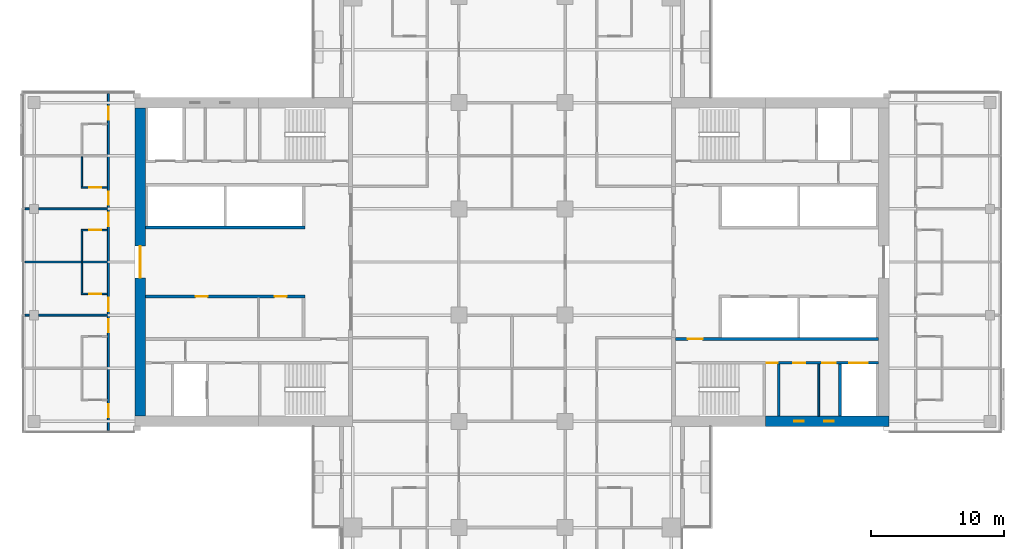
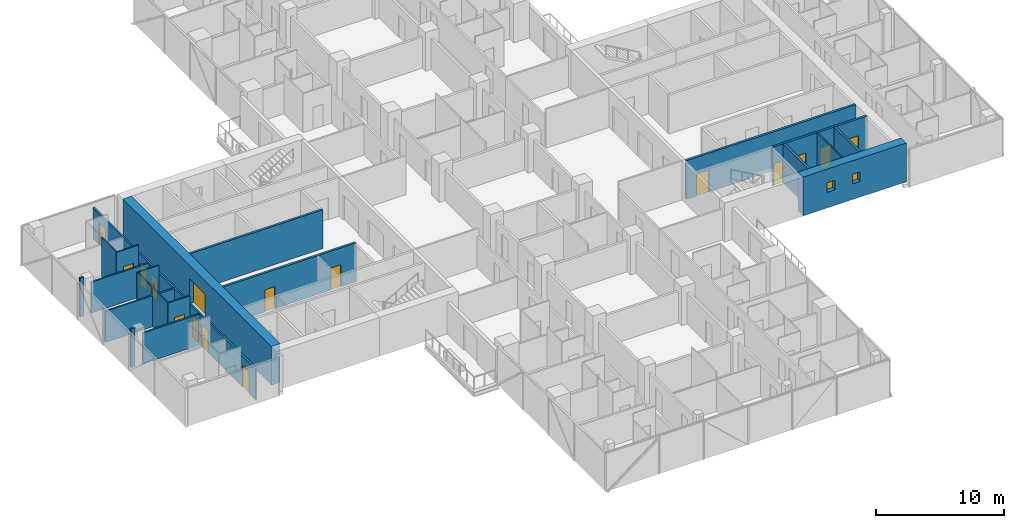
# One storey, part 18 of 29: 21 walls, 17 doors, 2 windows, 19 openings.
"""IFC4 building model written with IfcOpenShell, lengths in metres."""

from ifc_helpers import new_model, si_unit, direction, frame, frame_2d, origin, place, context, subcontext, project, spatial, rectangle, extrude, material, layer, layer_set, constituent, constituent_set, type_object, element, fill, save


model = new_model("IFC4")

# Units and contexts
model_context = context("Model", 3, precision=1e-05, world=origin(), true_north=direction((0.0, 1.0)))
body_context = subcontext(model_context, "Body", "Model", "MODEL_VIEW")
ifc_project = project(units=[si_unit("LENGTHUNIT", "METRE"), si_unit("AREAUNIT", "SQUARE_METRE"), si_unit("VOLUMEUNIT", "CUBIC_METRE"), si_unit("PLANEANGLEUNIT", "RADIAN"), si_unit("MASSUNIT", "GRAM", prefix="KILO")], contexts=[model_context])

# Site, building, storey
site_placement = place(None, origin())
site = spatial("IfcSite", under=ifc_project, at=site_placement, CompositionType="ELEMENT")
building_placement = place(site_placement, origin())
building = spatial("IfcBuilding", under=site, at=building_placement, Name="Crosswind Convention Tower", CompositionType="ELEMENT")
storey_placement = place(building_placement, frame((0.0, 0.0, 53.5)))
storey = spatial("IfcBuildingStorey", under=building, at=storey_placement, Name="L07", CompositionType="ELEMENT", Elevation=53.5)

# Wall
ifc_material_1 = material(Name="Concrete blockwork", Category="masonry")
ifc_layer_1 = layer(ifc_material_1, 0.199951171875)
ifc_layer_set_1 = layer_set([ifc_layer_1], Name="Blockwork partition wall 200")
wall_type_1 = type_object("IfcWallType", Name="Blockwork partition wall 200", PredefinedType="PARTITIONING", material=ifc_layer_set_1)
wall_1_placement = place(storey_placement, frame((145.10009765625, 88.39990234375, 0.0), z_axis=(0.0, 0.0, 1.0), x_axis=(0.0, 1.0, 0.0)))
element("IfcWall", 1, at=wall_1_placement, inside=storey, type_object=wall_type_1, Name="Wall MRSE E L07", PredefinedType="PARTITIONING", context=body_context, shape_type="SweptSolid", body=[
    extrude(rectangle(XDim=3.900146484375, YDim=0.199951171875, at=frame_2d((1.9501953125, 0.0))), origin(), (0.0, 0.0, 1.0), 3.699951171875),
])

# Wall, opening, door
ifc_material_2 = material(Name="Concrete C60/75", Category="concrete")
ifc_layer_2 = layer(ifc_material_2, 0.800048828125)
ifc_layer_set_2 = layer_set([ifc_layer_2], Name="Concrete C60/75")
wall_type_2 = type_object("IfcWallType", Name="Concrete core wall 800", PredefinedType="SHEAR", material=ifc_layer_set_2)
wall_2_placement = place(storey_placement, frame((97.0, 111.60009765625, 0.0), z_axis=(0.0, 0.0, 1.0), x_axis=(0.0, -1.0, 0.0)))
wall_2 = element("IfcWall", 2, at=wall_2_placement, inside=storey, type_object=wall_type_2, Name="Wall O W L07", PredefinedType="SHEAR", context=body_context, shape_type="SweptSolid", body=[
    extrude(rectangle(XDim=23.2001953125, YDim=0.800048828125, at=frame_2d((11.60009765625, 0.0))), origin(), (0.0, 0.0, 1.0), 3.699951171875),
])
opening_1_placement = place(wall_2_placement, frame((10.39990234375, 0.0, 0.0)))
opening_1 = element("IfcOpeningElement", 3, at=opening_1_placement, cuts=wall_2, Name="Opening D100", PredefinedType="OPENING", context=body_context, shape_type="SweptSolid", body=[
    extrude(rectangle(XDim=2.39990234375, YDim=2.39990234375, at=frame_2d((1.199951171875, 1.199951171875))), frame((0.0, 0.409912109375, 0.0), z_axis=(0.0, -1.0, 0.0), x_axis=(1.0, 0.0, 0.0)), (0.0, 0.0, 1.0), 0.820068359375),
])
ifc_material_3 = material(Name="Steel fire door with glazed vision panels", Category="steel")
door_type_1 = type_object("IfcDoorType", Name="Fire-rated double door 2400x2400", OperationType="DOUBLE_DOOR_SINGLE_SWING", PredefinedType="DOOR", material=ifc_material_3)
door_1_placement = place(opening_1_placement, origin())
door_1 = element("IfcDoor", 4, at=door_1_placement, inside=storey, type_object=door_type_1, Name="Lobby outer door L07", ObjectType="D100", OperationType="DOUBLE_DOOR_SINGLE_SWING", OverallHeight=2.39990234375, OverallWidth=2.39990234375, PredefinedType="DOOR", context=body_context, shape_type="SweptSolid", body=[
    extrude(rectangle(XDim=2.39990234375, YDim=2.39990234375, at=frame_2d((1.199951171875, 1.199951171875))), frame((0.0, 0.02490234375, 0.0), z_axis=(0.0, -1.0, 0.0), x_axis=(1.0, 0.0, 0.0)), (0.0, 0.0, 1.0), 0.050048828125),
])
fill(opening_1, door_1)

ifc_material_4 = material(Name="Concrete C50/60", Category="concrete")
ifc_layer_3 = layer(ifc_material_4, 0.199951171875)
ifc_layer_set_3 = layer_set([ifc_layer_3], Name="Concrete C50/60")
wall_type_3 = type_object("IfcWallType", Name="Concrete shaft and stair wall 200", PredefinedType="SHEAR", material=ifc_layer_set_3)
wall_3_placement = place(storey_placement, frame((137.300048828125, 94.199951171875, 0.0), z_axis=(0.0, 0.0, 1.0), x_axis=(1.0, 0.0, 0.0)))
wall_3 = element("IfcWall", 5, at=wall_3_placement, inside=storey, type_object=wall_type_3, Name="Wall HM E L07", PredefinedType="SHEAR", context=body_context, shape_type="SweptSolid", body=[
    extrude(rectangle(XDim=15.300048828125, YDim=0.199951171875, at=frame_2d((7.64990234375, 0.0))), origin(), (0.0, 0.0, 1.0), 3.699951171875),
])
opening_2_placement = place(wall_3_placement, frame((0.949951171875, 0.0, 0.0)))
opening_2 = element("IfcOpeningElement", 6, at=opening_2_placement, cuts=wall_3, Name="Opening D104", PredefinedType="OPENING", context=body_context, shape_type="SweptSolid", body=[
    extrude(rectangle(XDim=1.10009765625, YDim=2.10009765625, at=frame_2d((0.550048828125, 1.050048828125))), frame((0.0, 0.10986328125, 0.0), z_axis=(0.0, -1.0, 0.0), x_axis=(1.0, 0.0, 0.0)), (0.0, 0.0, 1.0), 0.219970703125),
])
ifc_material_5 = material(Name="Steel fire door", Category="steel")
door_type_2 = type_object("IfcDoorType", Name="Fire-rated single door 1100x2100", OperationType="NOTDEFINED", PredefinedType="DOOR", material=ifc_material_5)
door_2_placement = place(opening_2_placement, origin())
door_2 = element("IfcDoor", 7, at=door_2_placement, inside=storey, type_object=door_type_2, Name="Corridor door L07", ObjectType="D104", OperationType="SINGLE_SWING_LEFT", OverallHeight=2.10009765625, OverallWidth=1.10009765625, PredefinedType="DOOR", context=body_context, shape_type="SweptSolid", body=[
    extrude(rectangle(XDim=1.10009765625, YDim=2.10009765625, at=frame_2d((0.550048828125, 1.050048828125))), frame((0.0, 0.02490234375, 0.0), z_axis=(0.0, -1.0, 0.0), x_axis=(1.0, 0.0, 0.0)), (0.0, 0.0, 1.0), 0.050048828125),
])
fill(opening_2, door_2)

# Wall
wall_4_placement = place(storey_placement, frame((149.699951171875, 88.39990234375, 0.0), z_axis=(0.0, 0.0, 1.0), x_axis=(0.0, 1.0, 0.0)))
element("IfcWall", 8, at=wall_4_placement, inside=storey, type_object=wall_type_3, Name="Wall MFSW E L07", PredefinedType="SHEAR", context=body_context, shape_type="SweptSolid", body=[
    extrude(rectangle(XDim=3.900146484375, YDim=0.199951171875, at=frame_2d((1.9501953125, 0.0))), origin(), (0.0, 0.0, 1.0), 3.699951171875),
])

# Wall, openings, doors
wall_5_placement = place(storey_placement, frame((144.10009765625, 92.39990234375, 0.0), z_axis=(0.0, 0.0, 1.0), x_axis=(1.0, 0.0, 0.0)))
wall_5 = element("IfcWall", 9, at=wall_5_placement, inside=storey, type_object=wall_type_3, Name="Wall MCX E L07", PredefinedType="SHEAR", context=body_context, shape_type="SweptSolid", body=[
    extrude(rectangle(XDim=8.5, YDim=0.199951171875, at=frame_2d((4.25, 0.0))), origin(), (0.0, 0.0, 1.0), 3.699951171875),
])
opening_3_placement = place(wall_5_placement, frame((0.10009765625, 0.0, 0.0)))
opening_3 = element("IfcOpeningElement", 10, at=opening_3_placement, cuts=wall_5, Name="Opening D105", PredefinedType="OPENING", context=body_context, shape_type="SweptSolid", body=[
    extrude(rectangle(XDim=0.800048828125, YDim=2.10009765625, at=frame_2d((0.39990234375, 1.050048828125))), frame((0.0, 0.10986328125, 0.0), z_axis=(0.0, -1.0, 0.0), x_axis=(1.0, 0.0, 0.0)), (0.0, 0.0, 1.0), 0.219970703125),
])
opening_4_placement = place(wall_5_placement, frame((2.07080078125, 0.0, 0.0)))
opening_4 = element("IfcOpeningElement", 11, at=opening_4_placement, cuts=wall_5, Name="Opening D106", PredefinedType="OPENING", context=body_context, shape_type="SweptSolid", body=[
    extrude(rectangle(XDim=0.89990234375, YDim=2.10009765625, at=frame_2d((0.449951171875, 1.050048828125))), frame((0.0, 0.10986328125, 0.0), z_axis=(0.0, -1.0, 0.0), x_axis=(1.0, 0.0, 0.0)), (0.0, 0.0, 1.0), 0.219970703125),
])
opening_5_placement = place(wall_5_placement, frame((4.283203125, 0.0, 0.0)))
opening_5 = element("IfcOpeningElement", 12, at=opening_5_placement, cuts=wall_5, Name="Opening D103", PredefinedType="OPENING", context=body_context, shape_type="SweptSolid", body=[
    extrude(rectangle(XDim=1.0, YDim=2.10009765625, at=frame_2d((0.5, 1.050048828125))), frame((0.0, 0.10986328125, 0.0), z_axis=(0.0, -1.0, 0.0), x_axis=(1.0, 0.0, 0.0)), (0.0, 0.0, 1.0), 0.219970703125),
])
opening_6_placement = place(wall_5_placement, frame((6.300048828125, 0.0, 0.0)))
opening_6 = element("IfcOpeningElement", 13, at=opening_6_placement, cuts=wall_5, Name="Opening LD2", PredefinedType="OPENING", context=body_context, shape_type="SweptSolid", body=[
    extrude(rectangle(XDim=1.39990234375, YDim=2.10009765625, at=frame_2d((0.699951171875, 1.050048828125))), frame((0.0, 0.10986328125, 0.0), z_axis=(0.0, -1.0, 0.0), x_axis=(1.0, 0.0, 0.0)), (0.0, 0.0, 1.0), 0.219970703125),
])
door_type_3 = type_object("IfcDoorType", Name="Fire-rated single door 1000x2100", OperationType="NOTDEFINED", PredefinedType="DOOR", material=ifc_material_5)
door_3_placement = place(opening_5_placement, frame((1.0, 0.0, 0.0), z_axis=(0.0, 0.0, 1.0), x_axis=(-1.0, 0.0, 0.0)))
door_3 = element("IfcDoor", 14, at=door_3_placement, inside=storey, type_object=door_type_3, Name="Door to accessible wc L07", ObjectType="D103", OperationType="SINGLE_SWING_LEFT", OverallHeight=2.10009765625, OverallWidth=1.0, PredefinedType="DOOR", context=body_context, shape_type="SweptSolid", body=[
    extrude(rectangle(XDim=1.0, YDim=2.10009765625, at=frame_2d((0.5, 1.050048828125))), frame((0.0, 0.02490234375, 0.0), z_axis=(0.0, -1.0, 0.0), x_axis=(1.0, 0.0, 0.0)), (0.0, 0.0, 1.0), 0.050048828125),
])
fill(opening_5, door_3)
ifc_material_6 = material(Name="Stainless steel", Category="steel")
door_type_4 = type_object("IfcDoorType", Name="Lift landing door 1400x2100", OperationType="DOUBLE_DOOR_SLIDING", PredefinedType="DOOR", material=ifc_material_6)
door_4_placement = place(opening_6_placement, origin())
door_4 = element("IfcDoor", 15, at=door_4_placement, inside=storey, type_object=door_type_4, Name="Landing door SV1 L07", ObjectType="LD2", OperationType="DOUBLE_DOOR_SLIDING", OverallHeight=2.10009765625, OverallWidth=1.39990234375, PredefinedType="DOOR", context=body_context, shape_type="SweptSolid", body=[
    extrude(rectangle(XDim=1.39990234375, YDim=2.10009765625, at=frame_2d((0.699951171875, 1.050048828125))), frame((0.0, 0.02490234375, 0.0), z_axis=(0.0, -1.0, 0.0), x_axis=(1.0, 0.0, 0.0)), (0.0, 0.0, 1.0), 0.050048828125),
])
fill(opening_6, door_4)
door_type_5 = type_object("IfcDoorType", Name="Riser access door 800x2100", OperationType="NOTDEFINED", PredefinedType="DOOR", material=ifc_material_5)
door_5_placement = place(opening_3_placement, frame((0.800048828125, 0.0, 0.0), z_axis=(0.0, 0.0, 1.0), x_axis=(-1.0, 0.0, 0.0)))
door_5 = element("IfcDoor", 16, at=door_5_placement, inside=storey, type_object=door_type_5, Name="Riser door L07", ObjectType="D105", OperationType="SINGLE_SWING_LEFT", OverallHeight=2.10009765625, OverallWidth=0.800048828125, PredefinedType="DOOR", context=body_context, shape_type="SweptSolid", body=[
    extrude(rectangle(XDim=0.800048828125, YDim=2.10009765625, at=frame_2d((0.39990234375, 1.050048828125))), frame((0.0, 0.02490234375, 0.0), z_axis=(0.0, -1.0, 0.0), x_axis=(1.0, 0.0, 0.0)), (0.0, 0.0, 1.0), 0.050048828125),
])
fill(opening_3, door_5)
ifc_material_7 = material(Name="Timber door", Category="wood")
door_type_6 = type_object("IfcDoorType", Name="Single leaf door 900x2100", OperationType="NOTDEFINED", PredefinedType="DOOR", material=ifc_material_7)
door_6_placement = place(opening_4_placement, frame((0.89990234375, 0.0, 0.0), z_axis=(0.0, 0.0, 1.0), x_axis=(-1.0, 0.0, 0.0)))
door_6 = element("IfcDoor", 17, at=door_6_placement, inside=storey, type_object=door_type_6, Name="Door to wc L07", ObjectType="D106", OperationType="SINGLE_SWING_LEFT", OverallHeight=2.10009765625, OverallWidth=0.89990234375, PredefinedType="DOOR", context=body_context, shape_type="SweptSolid", body=[
    extrude(rectangle(XDim=0.89990234375, YDim=2.10009765625, at=frame_2d((0.449951171875, 1.050048828125))), frame((0.0, 0.02490234375, 0.0), z_axis=(0.0, -1.0, 0.0), x_axis=(1.0, 0.0, 0.0)), (0.0, 0.0, 1.0), 0.050048828125),
])
fill(opening_4, door_6)

wall_6_placement = place(storey_placement, frame((109.39990234375, 97.39990234375, 0.0), z_axis=(0.0, 0.0, 1.0), x_axis=(-1.0, 0.0, 0.0)))
wall_6 = element("IfcWall", 18, at=wall_6_placement, inside=storey, type_object=wall_type_3, Name="Wall RPFRONT W L07", PredefinedType="SHEAR", context=body_context, shape_type="SweptSolid", body=[
    extrude(rectangle(XDim=12.0, YDim=0.199951171875, at=frame_2d((6.0, 0.0))), origin(), (0.0, 0.0, 1.0), 3.699951171875),
])
opening_7_placement = place(wall_6_placement, frame((1.370849609375, 0.0, 0.0)))
opening_7 = element("IfcOpeningElement", 19, at=opening_7_placement, cuts=wall_6, Name="Opening D106", PredefinedType="OPENING", context=body_context, shape_type="SweptSolid", body=[
    extrude(rectangle(XDim=0.89990234375, YDim=2.10009765625, at=frame_2d((0.449951171875, 1.050048828125))), frame((0.0, 0.10986328125, 0.0), z_axis=(0.0, -1.0, 0.0), x_axis=(1.0, 0.0, 0.0)), (0.0, 0.0, 1.0), 0.219970703125),
])
opening_8_placement = place(wall_6_placement, frame((7.333251953125, 0.0, 0.0)))
opening_8 = element("IfcOpeningElement", 20, at=opening_8_placement, cuts=wall_6, Name="Opening D106", PredefinedType="OPENING", context=body_context, shape_type="SweptSolid", body=[
    extrude(rectangle(XDim=0.89990234375, YDim=2.10009765625, at=frame_2d((0.449951171875, 1.050048828125))), frame((0.0, 0.10986328125, 0.0), z_axis=(0.0, -1.0, 0.0), x_axis=(1.0, 0.0, 0.0)), (0.0, 0.0, 1.0), 0.219970703125),
])
door_7_placement = place(opening_7_placement, origin())
door_7 = element("IfcDoor", 21, at=door_7_placement, inside=storey, type_object=door_type_6, Name="Door to housekeeping store L07", ObjectType="D106", OperationType="SINGLE_SWING_RIGHT", OverallHeight=2.10009765625, OverallWidth=0.89990234375, PredefinedType="DOOR", context=body_context, shape_type="SweptSolid", body=[
    extrude(rectangle(XDim=0.89990234375, YDim=2.10009765625, at=frame_2d((0.449951171875, 1.050048828125))), frame((0.0, 0.02490234375, 0.0), z_axis=(0.0, -1.0, 0.0), x_axis=(1.0, 0.0, 0.0)), (0.0, 0.0, 1.0), 0.050048828125),
])
fill(opening_7, door_7)
door_8_placement = place(opening_8_placement, origin())
door_8 = element("IfcDoor", 22, at=door_8_placement, inside=storey, type_object=door_type_6, Name="Door to linen store L07", ObjectType="D106", OperationType="SINGLE_SWING_RIGHT", OverallHeight=2.10009765625, OverallWidth=0.89990234375, PredefinedType="DOOR", context=body_context, shape_type="SweptSolid", body=[
    extrude(rectangle(XDim=0.89990234375, YDim=2.10009765625, at=frame_2d((0.449951171875, 1.050048828125))), frame((0.0, 0.02490234375, 0.0), z_axis=(0.0, -1.0, 0.0), x_axis=(1.0, 0.0, 0.0)), (0.0, 0.0, 1.0), 0.050048828125),
])
fill(opening_8, door_8)

# Walls
wall_7_placement = place(storey_placement, frame((109.39990234375, 102.60009765625, 0.0), z_axis=(0.0, 0.0, 1.0), x_axis=(-1.0, 0.0, 0.0)))
element("IfcWall", 23, at=wall_7_placement, inside=storey, type_object=wall_type_3, Name="Wall RMFRONT W L07", PredefinedType="SHEAR", context=body_context, shape_type="SweptSolid", body=[
    extrude(rectangle(XDim=12.0, YDim=0.199951171875, at=frame_2d((6.0, 0.0))), origin(), (0.0, 0.0, 1.0), 3.699951171875),
])
ifc_material_8 = material(Name="Gypsum plasterboard partition", Category="gypsum")
ifc_layer_4 = layer(ifc_material_8, 0.125)
ifc_layer_set_4 = layer_set([ifc_layer_4], Name="Drywall partition wall 125")
wall_type_4 = type_object("IfcWallType", Name="Drywall partition wall 125", PredefinedType="PARTITIONING", material=ifc_layer_set_4)
wall_8_placement = place(storey_placement, frame((148.10400390625, 88.39990234375, 0.0), z_axis=(0.0, 0.0, 1.0), x_axis=(0.0, 1.0, 0.0)))
element("IfcWall", 24, at=wall_8_placement, inside=storey, type_object=wall_type_4, Name="Wall MWP1 E L07", PredefinedType="PARTITIONING", context=body_context, shape_type="SweptSolid", body=[
    extrude(rectangle(XDim=3.900146484375, YDim=0.125, at=frame_2d((1.9501953125, 0.0))), origin(), (0.0, 0.0, 1.0), 3.699951171875),
])
ifc_material_9 = material(Name="Acoustic plasterboard partition", Category="gypsum")
ifc_layer_5 = layer(ifc_material_9, 0.14990234375)
ifc_layer_set_5 = layer_set([ifc_layer_5], Name="GUEST ROOM WALL 150")
wall_type_5 = type_object("IfcWallType", Name="GUEST ROOM WALL 150", PredefinedType="PARTITIONING", material=ifc_layer_set_5)
wall_9_placement = place(storey_placement, frame((88.300048828125, 96.0, 0.0), z_axis=(0.0, 0.0, 1.0), x_axis=(1.0, 0.0, 0.0)))
element("IfcWall", 25, at=wall_9_placement, inside=storey, type_object=wall_type_5, Name="Guest Room Wall 35", PredefinedType="PARTITIONING", context=body_context, shape_type="SweptSolid", body=[
    extrude(rectangle(XDim=0.349853515625, YDim=0.14990234375, at=frame_2d((0.1748046875, 0.0))), origin(), (0.0, 0.0, 1.0), 3.699951171875),
])
wall_10_placement = place(storey_placement, frame((89.35009765625, 96.0, 0.0), z_axis=(0.0, 0.0, 1.0), x_axis=(1.0, 0.0, 0.0)))
element("IfcWall", 26, at=wall_10_placement, inside=storey, type_object=wall_type_5, Name="Guest Room Wall 36", PredefinedType="PARTITIONING", context=body_context, shape_type="SweptSolid", body=[
    extrude(rectangle(XDim=5.1748046875, YDim=0.14990234375, at=frame_2d((2.58740234375, 0.0))), origin(), (0.0, 0.0, 1.0), 2.956298828125),
])
wall_11_placement = place(storey_placement, frame((88.300048828125, 100.0, 0.0), z_axis=(0.0, 0.0, 1.0), x_axis=(1.0, 0.0, 0.0)))
element("IfcWall", 27, at=wall_11_placement, inside=storey, type_object=wall_type_5, Name="Guest Room Wall 43", PredefinedType="PARTITIONING", context=body_context, shape_type="SweptSolid", body=[
    extrude(rectangle(XDim=6.224853515625, YDim=0.14990234375, at=frame_2d((3.1123046875, 0.0))), origin(), (0.0, 0.0, 1.0), 2.962890625),
])
wall_12_placement = place(storey_placement, frame((88.300048828125, 104.0, 0.0), z_axis=(0.0, 0.0, 1.0), x_axis=(1.0, 0.0, 0.0)))
element("IfcWall", 28, at=wall_12_placement, inside=storey, type_object=wall_type_5, Name="Guest Room Wall 47", PredefinedType="PARTITIONING", context=body_context, shape_type="SweptSolid", body=[
    extrude(rectangle(XDim=0.349853515625, YDim=0.14990234375, at=frame_2d((0.1748046875, 0.0))), origin(), (0.0, 0.0, 1.0), 3.699951171875),
])
wall_13_placement = place(storey_placement, frame((89.35009765625, 104.0, 0.0), z_axis=(0.0, 0.0, 1.0), x_axis=(1.0, 0.0, 0.0)))
element("IfcWall", 29, at=wall_13_placement, inside=storey, type_object=wall_type_5, Name="Guest Room Wall 48", PredefinedType="PARTITIONING", context=body_context, shape_type="SweptSolid", body=[
    extrude(rectangle(XDim=5.1748046875, YDim=0.14990234375, at=frame_2d((2.58740234375, 0.0))), origin(), (0.0, 0.0, 1.0), 2.956298828125),
])

# Wall, openings, doors
wall_14_placement = place(storey_placement, frame((94.60009765625, 87.300048828125, 0.0), z_axis=(0.0, 0.0, 1.0), x_axis=(0.0, 1.0, 0.0)))
wall_14 = element("IfcWall", 30, at=wall_14_placement, inside=storey, type_object=wall_type_5, Name="Guest Room Wall 92", PredefinedType="PARTITIONING", context=body_context, shape_type="SweptSolid", body=[
    extrude(rectangle(XDim=25.39990234375, YDim=0.14990234375, at=frame_2d((12.699951171875, 0.0))), origin(), (0.0, 0.0, 1.0), 2.956298828125),
])
opening_9_placement = place(wall_14_placement, frame((1.0, 0.0, 0.0)))
opening_9 = element("IfcOpeningElement", 31, at=opening_9_placement, cuts=wall_14, Name="Opening 07.057", PredefinedType="OPENING", context=body_context, shape_type="SweptSolid", body=[
    extrude(rectangle(XDim=1.0, YDim=2.10009765625, at=frame_2d((0.5, 1.050048828125))), frame((0.0, 0.0849609375, 0.0), z_axis=(0.0, -1.0, 0.0), x_axis=(1.0, 0.0, 0.0)), (0.0, 0.0, 1.0), 0.169921875),
])
opening_10_placement = place(wall_14_placement, frame((7.39990234375, 0.0, 0.0)))
opening_10 = element("IfcOpeningElement", 32, at=opening_10_placement, cuts=wall_14, Name="Opening 07.059", PredefinedType="OPENING", context=body_context, shape_type="SweptSolid", body=[
    extrude(rectangle(XDim=1.0, YDim=2.10009765625, at=frame_2d((0.5, 1.050048828125))), frame((0.0, 0.0849609375, 0.0), z_axis=(0.0, -1.0, 0.0), x_axis=(1.0, 0.0, 0.0)), (0.0, 0.0, 1.0), 0.169921875),
])
opening_11_placement = place(wall_14_placement, frame((9.0, 0.0, 0.0)))
opening_11 = element("IfcOpeningElement", 33, at=opening_11_placement, cuts=wall_14, Name="Opening 07.061", PredefinedType="OPENING", context=body_context, shape_type="SweptSolid", body=[
    extrude(rectangle(XDim=1.0, YDim=2.10009765625, at=frame_2d((0.5, 1.050048828125))), frame((0.0, 0.0849609375, 0.0), z_axis=(0.0, -1.0, 0.0), x_axis=(1.0, 0.0, 0.0)), (0.0, 0.0, 1.0), 0.169921875),
])
opening_12_placement = place(wall_14_placement, frame((15.39990234375, 0.0, 0.0)))
opening_12 = element("IfcOpeningElement", 34, at=opening_12_placement, cuts=wall_14, Name="Opening 07.063", PredefinedType="OPENING", context=body_context, shape_type="SweptSolid", body=[
    extrude(rectangle(XDim=1.0, YDim=2.10009765625, at=frame_2d((0.5, 1.050048828125))), frame((0.0, 0.0849609375, 0.0), z_axis=(0.0, -1.0, 0.0), x_axis=(1.0, 0.0, 0.0)), (0.0, 0.0, 1.0), 0.169921875),
])
opening_13_placement = place(wall_14_placement, frame((17.0, 0.0, 0.0)))
opening_13 = element("IfcOpeningElement", 35, at=opening_13_placement, cuts=wall_14, Name="Opening 07.065", PredefinedType="OPENING", context=body_context, shape_type="SweptSolid", body=[
    extrude(rectangle(XDim=1.0, YDim=2.10009765625, at=frame_2d((0.5, 1.050048828125))), frame((0.0, 0.0849609375, 0.0), z_axis=(0.0, -1.0, 0.0), x_axis=(1.0, 0.0, 0.0)), (0.0, 0.0, 1.0), 0.169921875),
])
opening_14_placement = place(wall_14_placement, frame((23.39990234375, 0.0, 0.0)))
opening_14 = element("IfcOpeningElement", 36, at=opening_14_placement, cuts=wall_14, Name="Opening 07.067", PredefinedType="OPENING", context=body_context, shape_type="SweptSolid", body=[
    extrude(rectangle(XDim=1.0, YDim=2.10009765625, at=frame_2d((0.5, 1.050048828125))), frame((0.0, 0.0849609375, 0.0), z_axis=(0.0, -1.0, 0.0), x_axis=(1.0, 0.0, 0.0)), (0.0, 0.0, 1.0), 0.169921875),
])
ifc_material_10 = material(Name="Timber fire door", Category="wood")
door_type_7 = type_object("IfcDoorType", Name="GUEST ROOM DOOR 1000X2100", OperationType="NOTDEFINED", PredefinedType="DOOR", material=ifc_material_10)
door_9_placement = place(opening_9_placement, origin())
door_9 = element("IfcDoor", 37, at=door_9_placement, inside=storey, type_object=door_type_7, Name="Door 07.057", ObjectType="D1", OperationType="SINGLE_SWING_RIGHT", OverallHeight=2.10009765625, OverallWidth=1.0, PredefinedType="DOOR", context=body_context, shape_type="SweptSolid", body=[
    extrude(rectangle(XDim=1.0, YDim=2.10009765625, at=frame_2d((0.5, 1.050048828125))), frame((0.0, 0.02490234375, 0.0), z_axis=(0.0, -1.0, 0.0), x_axis=(1.0, 0.0, 0.0)), (0.0, 0.0, 1.0), 0.050048828125),
])
fill(opening_9, door_9)
door_10_placement = place(opening_10_placement, origin())
door_10 = element("IfcDoor", 38, at=door_10_placement, inside=storey, type_object=door_type_7, Name="Door 07.059", ObjectType="D1", OperationType="SINGLE_SWING_RIGHT", OverallHeight=2.10009765625, OverallWidth=1.0, PredefinedType="DOOR", context=body_context, shape_type="SweptSolid", body=[
    extrude(rectangle(XDim=1.0, YDim=2.10009765625, at=frame_2d((0.5, 1.050048828125))), frame((0.0, 0.02490234375, 0.0), z_axis=(0.0, -1.0, 0.0), x_axis=(1.0, 0.0, 0.0)), (0.0, 0.0, 1.0), 0.050048828125),
])
fill(opening_10, door_10)
door_11_placement = place(opening_11_placement, origin())
door_11 = element("IfcDoor", 39, at=door_11_placement, inside=storey, type_object=door_type_7, Name="Door 07.061", ObjectType="D1", OperationType="SINGLE_SWING_RIGHT", OverallHeight=2.10009765625, OverallWidth=1.0, PredefinedType="DOOR", context=body_context, shape_type="SweptSolid", body=[
    extrude(rectangle(XDim=1.0, YDim=2.10009765625, at=frame_2d((0.5, 1.050048828125))), frame((0.0, 0.02490234375, 0.0), z_axis=(0.0, -1.0, 0.0), x_axis=(1.0, 0.0, 0.0)), (0.0, 0.0, 1.0), 0.050048828125),
])
fill(opening_11, door_11)
door_12_placement = place(opening_12_placement, origin())
door_12 = element("IfcDoor", 40, at=door_12_placement, inside=storey, type_object=door_type_7, Name="Door 07.063", ObjectType="D1", OperationType="SINGLE_SWING_RIGHT", OverallHeight=2.10009765625, OverallWidth=1.0, PredefinedType="DOOR", context=body_context, shape_type="SweptSolid", body=[
    extrude(rectangle(XDim=1.0, YDim=2.10009765625, at=frame_2d((0.5, 1.050048828125))), frame((0.0, 0.02490234375, 0.0), z_axis=(0.0, -1.0, 0.0), x_axis=(1.0, 0.0, 0.0)), (0.0, 0.0, 1.0), 0.050048828125),
])
fill(opening_12, door_12)
door_13_placement = place(opening_13_placement, origin())
door_13 = element("IfcDoor", 41, at=door_13_placement, inside=storey, type_object=door_type_7, Name="Door 07.065", ObjectType="D1", OperationType="SINGLE_SWING_RIGHT", OverallHeight=2.10009765625, OverallWidth=1.0, PredefinedType="DOOR", context=body_context, shape_type="SweptSolid", body=[
    extrude(rectangle(XDim=1.0, YDim=2.10009765625, at=frame_2d((0.5, 1.050048828125))), frame((0.0, 0.02490234375, 0.0), z_axis=(0.0, -1.0, 0.0), x_axis=(1.0, 0.0, 0.0)), (0.0, 0.0, 1.0), 0.050048828125),
])
fill(opening_13, door_13)
door_14_placement = place(opening_14_placement, origin())
door_14 = element("IfcDoor", 42, at=door_14_placement, inside=storey, type_object=door_type_7, Name="Door 07.067", ObjectType="D1", OperationType="SINGLE_SWING_LEFT", OverallHeight=2.10009765625, OverallWidth=1.0, PredefinedType="DOOR", context=body_context, shape_type="SweptSolid", body=[
    extrude(rectangle(XDim=1.0, YDim=2.10009765625, at=frame_2d((0.5, 1.050048828125))), frame((0.0, 0.02490234375, 0.0), z_axis=(0.0, -1.0, 0.0), x_axis=(1.0, 0.0, 0.0)), (0.0, 0.0, 1.0), 0.050048828125),
])
fill(opening_14, door_14)

# Wall, openings, windows
ifc_constituent_1 = constituent(ifc_material_2, Name="Structure")
ifc_material_11 = material(Name="Terracotta rainscreen", Category="ceramic")
ifc_constituent_2 = constituent(ifc_material_11, Name="Facing")
ifc_constituent_set = constituent_set(constituents=[ifc_constituent_1, ifc_constituent_2], Name="Concrete C60/75, Terracotta rainscreen")
wall_type_6 = type_object("IfcWallType", Name="Terracotta rainscreen on concrete core wall 800", PredefinedType="SHEAR", material=ifc_constituent_set)
wall_15_placement = place(storey_placement, frame((144.10009765625, 88.0, 0.0), z_axis=(0.0, 0.0, 1.0), x_axis=(1.0, 0.0, 0.0)))
wall_15 = element("IfcWall", 43, at=wall_15_placement, inside=storey, type_object=wall_type_6, Name="Wall S2 E L07", PredefinedType="SHEAR", context=body_context, shape_type="SweptSolid", body=[
    extrude(rectangle(XDim=9.2998046875, YDim=0.800048828125, at=frame_2d((4.64990234375, 0.0))), origin(), (0.0, 0.0, 1.0), 3.699951171875),
])
opening_15_placement = place(wall_15_placement, frame((2.170654296875, 0.0, 1.5)))
opening_15 = element("IfcOpeningElement", 44, at=opening_15_placement, cuts=wall_15, Name="Opening W2", PredefinedType="OPENING", context=body_context, shape_type="SweptSolid", body=[
    extrude(rectangle(XDim=0.699951171875, YDim=0.89990234375, at=frame_2d((0.35009765625, 0.449951171875))), frame((0.0, 0.409912109375, 0.0), z_axis=(0.0, -1.0, 0.0), x_axis=(1.0, 0.0, 0.0)), (0.0, 0.0, 1.0), 0.820068359375),
])
opening_16_placement = place(wall_15_placement, frame((4.433349609375, 0.0, 1.5)))
opening_16 = element("IfcOpeningElement", 45, at=opening_16_placement, cuts=wall_15, Name="Opening W2", PredefinedType="OPENING", context=body_context, shape_type="SweptSolid", body=[
    extrude(rectangle(XDim=0.699951171875, YDim=0.89990234375, at=frame_2d((0.35009765625, 0.449951171875))), frame((0.0, 0.409912109375, 0.0), z_axis=(0.0, -1.0, 0.0), x_axis=(1.0, 0.0, 0.0)), (0.0, 0.0, 1.0), 0.820068359375),
])
ifc_material_12 = material(Name="Obscure glass in aluminium frame", Category="aluminium")
window_type = type_object("IfcWindowType", Name="WC window 700x900", PartitioningType="SINGLE_PANEL", PredefinedType="WINDOW", material=ifc_material_12)
window_1_placement = place(opening_15_placement, origin())
window_1 = element("IfcWindow", 46, at=window_1_placement, inside=storey, type_object=window_type, Name="WC window L07", ObjectType="W2", OverallHeight=0.89990234375, OverallWidth=0.699951171875, PartitioningType="SINGLE_PANEL", PredefinedType="WINDOW", context=body_context, shape_type="SweptSolid", body=[
    extrude(rectangle(XDim=0.699951171875, YDim=0.89990234375, at=frame_2d((0.35009765625, 0.449951171875))), frame((0.0, 0.030029296875, 0.0), z_axis=(0.0, -1.0, 0.0), x_axis=(1.0, 0.0, 0.0)), (0.0, 0.0, 1.0), 0.06005859375),
])
fill(opening_15, window_1)
window_2_placement = place(opening_16_placement, origin())
window_2 = element("IfcWindow", 47, at=window_2_placement, inside=storey, type_object=window_type, Name="WC window L07", ObjectType="W2", OverallHeight=0.89990234375, OverallWidth=0.699951171875, PartitioningType="SINGLE_PANEL", PredefinedType="WINDOW", context=body_context, shape_type="SweptSolid", body=[
    extrude(rectangle(XDim=0.699951171875, YDim=0.89990234375, at=frame_2d((0.35009765625, 0.449951171875))), frame((0.0, 0.030029296875, 0.0), z_axis=(0.0, -1.0, 0.0), x_axis=(1.0, 0.0, 0.0)), (0.0, 0.0, 1.0), 0.06005859375),
])
fill(opening_16, window_2)

# Wall, opening, door
ifc_material_13 = material(Name="Water-resistant plasterboard partition", Category="gypsum")
ifc_layer_6 = layer(ifc_material_13, 0.10009765625)
ifc_layer_set_6 = layer_set([ifc_layer_6], Name="WET ROOM PARTITION 100")
wall_type_7 = type_object("IfcWallType", Name="WET ROOM PARTITION 100", PredefinedType="PLUMBINGWALL", material=ifc_layer_set_6)
wall_16_placement = place(storey_placement, frame((92.550048828125, 97.60009765625, 0.0), z_axis=(0.0, 0.0, 1.0), x_axis=(1.0, 0.0, 0.0)))
wall_16 = element("IfcWall", 48, at=wall_16_placement, inside=storey, type_object=wall_type_7, Name="Wet Room Partition 41", PredefinedType="PLUMBINGWALL", context=body_context, shape_type="SweptSolid", body=[
    extrude(rectangle(XDim=1.974853515625, YDim=0.10009765625, at=frame_2d((0.9873046875, 0.0))), origin(), (0.0, 0.0, 1.0), 3.699951171875),
])
opening_17_placement = place(wall_16_placement, frame((0.60009765625, 0.0, 0.0)))
opening_17 = element("IfcOpeningElement", 49, at=opening_17_placement, cuts=wall_16, Name="Opening 07.062", PredefinedType="OPENING", context=body_context, shape_type="SweptSolid", body=[
    extrude(rectangle(XDim=0.89990234375, YDim=2.10009765625, at=frame_2d((0.449951171875, 1.050048828125))), frame((0.0, 0.06005859375, 0.0), z_axis=(0.0, -1.0, 0.0), x_axis=(1.0, 0.0, 0.0)), (0.0, 0.0, 1.0), 0.1201171875),
])
door_type_8 = type_object("IfcDoorType", Name="EN-SUITE DOOR 900X2100", OperationType="NOTDEFINED", PredefinedType="DOOR", material=ifc_material_7)
door_15_placement = place(opening_17_placement, origin())
door_15 = element("IfcDoor", 50, at=door_15_placement, inside=storey, type_object=door_type_8, Name="Door 07.062", ObjectType="D2", OperationType="SINGLE_SWING_RIGHT", OverallHeight=2.10009765625, OverallWidth=0.89990234375, PredefinedType="DOOR", context=body_context, shape_type="SweptSolid", body=[
    extrude(rectangle(XDim=0.89990234375, YDim=2.10009765625, at=frame_2d((0.449951171875, 1.050048828125))), frame((0.0, 0.02490234375, 0.0), z_axis=(0.0, -1.0, 0.0), x_axis=(1.0, 0.0, 0.0)), (0.0, 0.0, 1.0), 0.050048828125),
])
fill(opening_17, door_15)

wall_17_placement = place(storey_placement, frame((92.550048828125, 102.39990234375, 0.0), z_axis=(0.0, 0.0, 1.0), x_axis=(1.0, 0.0, 0.0)))
wall_17 = element("IfcWall", 51, at=wall_17_placement, inside=storey, type_object=wall_type_7, Name="Wet Room Partition 45", PredefinedType="PLUMBINGWALL", context=body_context, shape_type="SweptSolid", body=[
    extrude(rectangle(XDim=1.974853515625, YDim=0.10009765625, at=frame_2d((0.9873046875, 0.0))), origin(), (0.0, 0.0, 1.0), 3.699951171875),
])
opening_18_placement = place(wall_17_placement, frame((0.60009765625, 0.0, 0.0)))
opening_18 = element("IfcOpeningElement", 52, at=opening_18_placement, cuts=wall_17, Name="Opening 07.064", PredefinedType="OPENING", context=body_context, shape_type="SweptSolid", body=[
    extrude(rectangle(XDim=0.89990234375, YDim=2.10009765625, at=frame_2d((0.449951171875, 1.050048828125))), frame((0.0, 0.06005859375, 0.0), z_axis=(0.0, -1.0, 0.0), x_axis=(1.0, 0.0, 0.0)), (0.0, 0.0, 1.0), 0.1201171875),
])
door_16_placement = place(opening_18_placement, frame((0.89990234375, 0.0, 0.0), z_axis=(0.0, 0.0, 1.0), x_axis=(-1.0, 0.0, 0.0)))
door_16 = element("IfcDoor", 53, at=door_16_placement, inside=storey, type_object=door_type_8, Name="Door 07.064", ObjectType="D2", OperationType="SINGLE_SWING_LEFT", OverallHeight=2.10009765625, OverallWidth=0.89990234375, PredefinedType="DOOR", context=body_context, shape_type="SweptSolid", body=[
    extrude(rectangle(XDim=0.89990234375, YDim=2.10009765625, at=frame_2d((0.449951171875, 1.050048828125))), frame((0.0, 0.02490234375, 0.0), z_axis=(0.0, -1.0, 0.0), x_axis=(1.0, 0.0, 0.0)), (0.0, 0.0, 1.0), 0.050048828125),
])
fill(opening_18, door_16)

wall_18_placement = place(storey_placement, frame((92.550048828125, 105.60009765625, 0.0), z_axis=(0.0, 0.0, 1.0), x_axis=(1.0, 0.0, 0.0)))
wall_18 = element("IfcWall", 54, at=wall_18_placement, inside=storey, type_object=wall_type_7, Name="Wet Room Partition 52", PredefinedType="PLUMBINGWALL", context=body_context, shape_type="SweptSolid", body=[
    extrude(rectangle(XDim=1.974853515625, YDim=0.10009765625, at=frame_2d((0.9873046875, 0.0))), origin(), (0.0, 0.0, 1.0), 3.699951171875),
])
opening_19_placement = place(wall_18_placement, frame((0.60009765625, 0.0, 0.0)))
opening_19 = element("IfcOpeningElement", 55, at=opening_19_placement, cuts=wall_18, Name="Opening 07.066", PredefinedType="OPENING", context=body_context, shape_type="SweptSolid", body=[
    extrude(rectangle(XDim=0.89990234375, YDim=2.10009765625, at=frame_2d((0.449951171875, 1.050048828125))), frame((0.0, 0.06005859375, 0.0), z_axis=(0.0, -1.0, 0.0), x_axis=(1.0, 0.0, 0.0)), (0.0, 0.0, 1.0), 0.1201171875),
])
door_17_placement = place(opening_19_placement, origin())
door_17 = element("IfcDoor", 56, at=door_17_placement, inside=storey, type_object=door_type_8, Name="Door 07.066", ObjectType="D2", OperationType="SINGLE_SWING_RIGHT", OverallHeight=2.10009765625, OverallWidth=0.89990234375, PredefinedType="DOOR", context=body_context, shape_type="SweptSolid", body=[
    extrude(rectangle(XDim=0.89990234375, YDim=2.10009765625, at=frame_2d((0.449951171875, 1.050048828125))), frame((0.0, 0.02490234375, 0.0), z_axis=(0.0, -1.0, 0.0), x_axis=(1.0, 0.0, 0.0)), (0.0, 0.0, 1.0), 0.050048828125),
])
fill(opening_19, door_17)

# Walls
for number, where, z_axis, x_axis, name in (
    (57, (92.60009765625, 97.64990234375, 0.0), (0.0, 0.0, 1.0), (0.0, 1.0, 0.0), "Wet Room Partition 88"),
    (58, (92.60009765625, 100.074951171875, 0.0), (0.0, 0.0, 1.0), (0.0, 1.0, 0.0), "Wet Room Partition 89"),
    (59, (92.60009765625, 105.64990234375, 0.0), (0.0, 0.0, 1.0), (0.0, 1.0, 0.0), "Wet Room Partition 90"),
):
    element("IfcWall", number, at=place(storey_placement, frame(where, z_axis=z_axis, x_axis=x_axis)), inside=storey, type_object=wall_type_7, Name=name, PredefinedType="PLUMBINGWALL", context=body_context, shape_type="SweptSolid", body=[
        extrude(rectangle(XDim=2.275146484375, YDim=0.10009765625, at=frame_2d((1.1376953125, 0.0))), origin(), (0.0, 0.0, 1.0), 3.699951171875),
    ])

save(model, "model.ifc")
